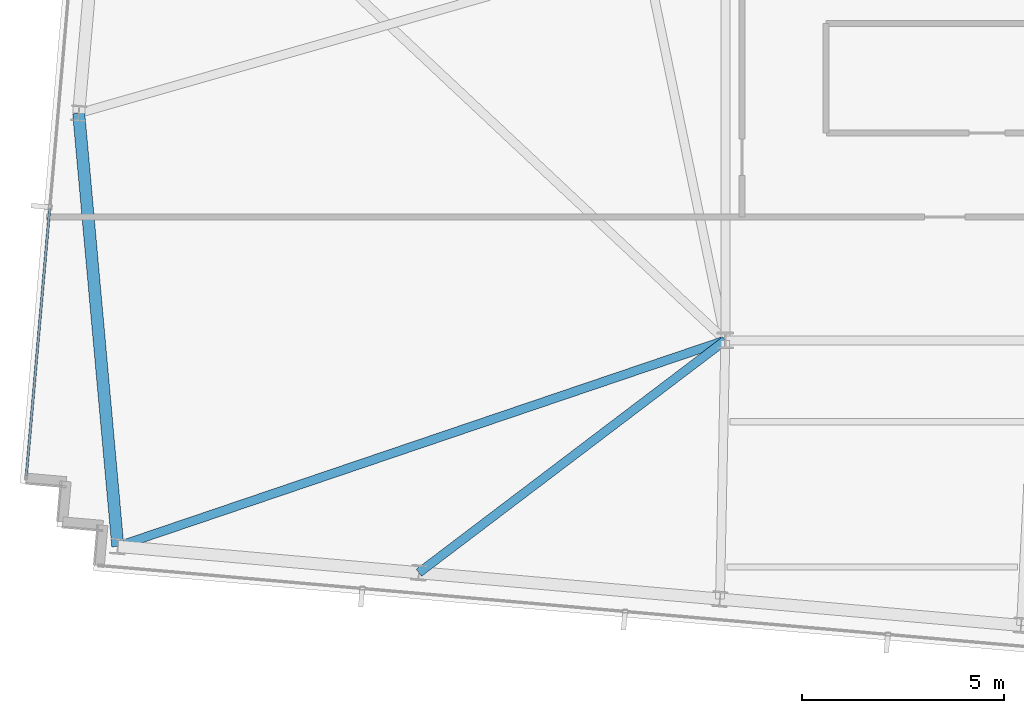
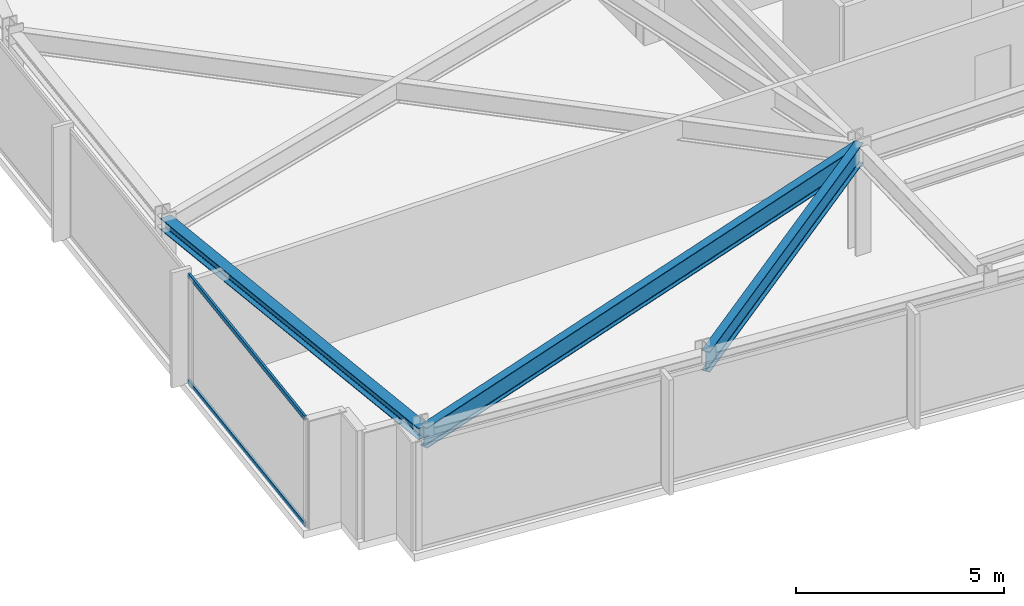
# One storey, part 4 of 32: 3 beams, 2 members, 1 element without a shape of its own.
"""IFC4 building model written with IfcOpenShell, lengths in metres."""

from ifc_helpers import new_model, si_unit, direction, frame, origin, origin_2d, place, context, subcontext, project, spatial, hollow_rectangle, i_section, extrude, material, material_profile, profile_set, type_object, element, aggregate, save


model = new_model("IFC4")

# Units and contexts
model_context = context("Model", 3, precision=1e-05, world=origin(), true_north=direction((0.0, 1.0)))
body_context = subcontext(model_context, "Body", "Model", "MODEL_VIEW")
ifc_project = project(units=[si_unit("LENGTHUNIT", "METRE"), si_unit("AREAUNIT", "SQUARE_METRE"), si_unit("VOLUMEUNIT", "CUBIC_METRE"), si_unit("PLANEANGLEUNIT", "RADIAN"), si_unit("MASSUNIT", "GRAM", prefix="KILO")], contexts=[model_context])

# Site, building, storey
site_placement = place(None, origin())
site = spatial("IfcSite", under=ifc_project, at=site_placement, CompositionType="ELEMENT")
building_placement = place(site_placement, origin())
building = spatial("IfcBuilding", under=site, at=building_placement, Name="Yelkora Congress Tower", CompositionType="ELEMENT")
storey_placement = place(building_placement, frame((0.0, 0.0, 265.89990234375)))
storey = spatial("IfcBuildingStorey", under=building, at=storey_placement, Name="L74", CompositionType="ELEMENT", Elevation=265.89990234375)

# Beams
ifc_material_1 = material(Name="Steel S355J2", Category="steel")
ifc_material_profile_1 = material_profile(ifc_material_1, i_section(OverallWidth=0.219970703125, OverallDepth=0.60009765625, WebThickness=0.011962890625, FlangeThickness=0.01904296875, FilletRadius=0.02392578125, at=origin_2d()), Name="IPE 600")
ifc_profile_set_1 = profile_set([ifc_material_profile_1], Name="Steel S355J2")
beam_type_1 = type_object("IfcBeamType", Name="BM-GIRD-IPE600", PredefinedType="BEAM", material=ifc_profile_set_1)
beam_1_placement = place(storey_placement, frame((7.998046875, 20.097900390625, 2.880126953125), z_axis=(0.947007090502, 0.321212656257, 0.0), x_axis=(-0.321212656257, 0.947007090502, 0.0)))
element("IfcBeam", 1, at=beam_1_placement, inside=storey, type_object=beam_type_1, Name="L74 Primary Frame Girder S01", PredefinedType="BEAM", context=body_context, shape_type="SweptSolid", body=[
    extrude(i_section(OverallWidth=0.219970703125, OverallDepth=0.60009765625, WebThickness=0.011962890625, FlangeThickness=0.01904296875, FilletRadius=0.02392578125, at=origin_2d()), origin(), (0.0, 0.0, 1.0), 15.8837890625),
])
beam_2_placement = place(storey_placement, frame((15.452880859375, 19.445556640625, 2.880126953125), z_axis=(0.79676107913, 0.6042944504, 0.0), x_axis=(-0.6042944504, 0.79676107913, 0.0)))
element("IfcBeam", 2, at=beam_2_placement, inside=storey, type_object=beam_type_1, Name="L74 Primary Frame Girder S02", PredefinedType="BEAM", context=body_context, shape_type="SweptSolid", body=[
    extrude(i_section(OverallWidth=0.219970703125, OverallDepth=0.60009765625, WebThickness=0.011962890625, FlangeThickness=0.01904296875, FilletRadius=0.02392578125, at=origin_2d()), origin(), (0.0, 0.0, 1.0), 9.5224609375),
])
ifc_material_profile_2 = material_profile(ifc_material_1, i_section(OverallWidth=0.300048828125, OverallDepth=0.340087890625, WebThickness=0.011962890625, FlangeThickness=0.021484375, FilletRadius=0.027099609375, at=origin_2d()), Name="HEB 340")
ifc_profile_set_2 = profile_set([ifc_material_profile_2], Name="Steel S355J2")
beam_type_2 = type_object("IfcBeamType", Name="BM-SPAN-HEB340", PredefinedType="SPANDREL", material=ifc_profile_set_2)
beam_3_placement = place(storey_placement, frame((7.029052734375, 30.822998046875, 3.010009765625), z_axis=(0.08998177561, -0.995943412076, 0.0), x_axis=(0.995943412076, 0.08998177561, 0.0)))
element("IfcBeam", 3, at=beam_3_placement, inside=storey, type_object=beam_type_2, Name="L74 Perimeter Beam 15", PredefinedType="SPANDREL", context=body_context, shape_type="SweptSolid", body=[
    extrude(i_section(OverallWidth=0.300048828125, OverallDepth=0.340087890625, WebThickness=0.011962890625, FlangeThickness=0.021484375, FilletRadius=0.027099609375, at=origin_2d()), origin(), (0.0, 0.0, 1.0), 10.768798828125),
])

# Curtain wall, members
ifc_material_2 = material(Name="Anodised aluminium and insulated glass", Category="aluminium")
curtain_wall_type = type_object("IfcCurtainWallType", Name="CW-SYS-B5", PredefinedType="NOTDEFINED", material=ifc_material_2)
curtain_wall_placement = place(storey_placement, origin())
curtain_wall = element("IfcCurtainWall", 4, at=curtain_wall_placement, inside=storey, type_object=curtain_wall_type, Name="L74 Unitised Curtain Wall 5", PredefinedType="NOTDEFINED")
ifc_material_3 = material(Name="Anodised aluminium 6063-T6", Category="aluminium")
ifc_material_profile_3 = material_profile(ifc_material_3, hollow_rectangle(XDim=0.06005859375, YDim=0.1298828125, WallThickness=0.00390625, at=origin_2d()), Name="ALU 60x130x4")
ifc_profile_set_3 = profile_set([ifc_material_profile_3], Name="Anodised aluminium 6063-T6")
member_type = type_object("IfcMemberType", Name="MEM-TR-B5", PredefinedType="USERDEFINED", material=ifc_profile_set_3)
member_1_placement = place(storey_placement, frame((5.732666015625, 21.85693359375, 0.030029296875), z_axis=(0.08716649365, 0.996193757451, 0.0), x_axis=(-0.996193757451, 0.08716649365, 0.0)))
member_1 = element("IfcMember", 5, at=member_1_placement, type_object=member_type, Name="CW-B5 transom 1.1", ObjectType="TRANSOM", PredefinedType="USERDEFINED", context=body_context, shape_type="SweptSolid", body=[
    extrude(hollow_rectangle(XDim=0.06005859375, YDim=0.1298828125, WallThickness=0.00390625, at=origin_2d()), origin(), (0.0, 0.0, 1.0), 6.63232421875),
])
member_2_placement = place(storey_placement, frame((5.732666015625, 21.85693359375, 3.150146484375), z_axis=(0.08716649365, 0.996193757451, 0.0), x_axis=(-0.996193757451, 0.08716649365, 0.0)))
member_2 = element("IfcMember", 6, at=member_2_placement, type_object=member_type, Name="CW-B5 transom 1.2", ObjectType="TRANSOM", PredefinedType="USERDEFINED", context=body_context, shape_type="SweptSolid", body=[
    extrude(hollow_rectangle(XDim=0.06005859375, YDim=0.1298828125, WallThickness=0.00390625, at=origin_2d()), origin(), (0.0, 0.0, 1.0), 6.63232421875),
])
aggregate(curtain_wall, [member_1, member_2])

save(model, "model.ifc")
